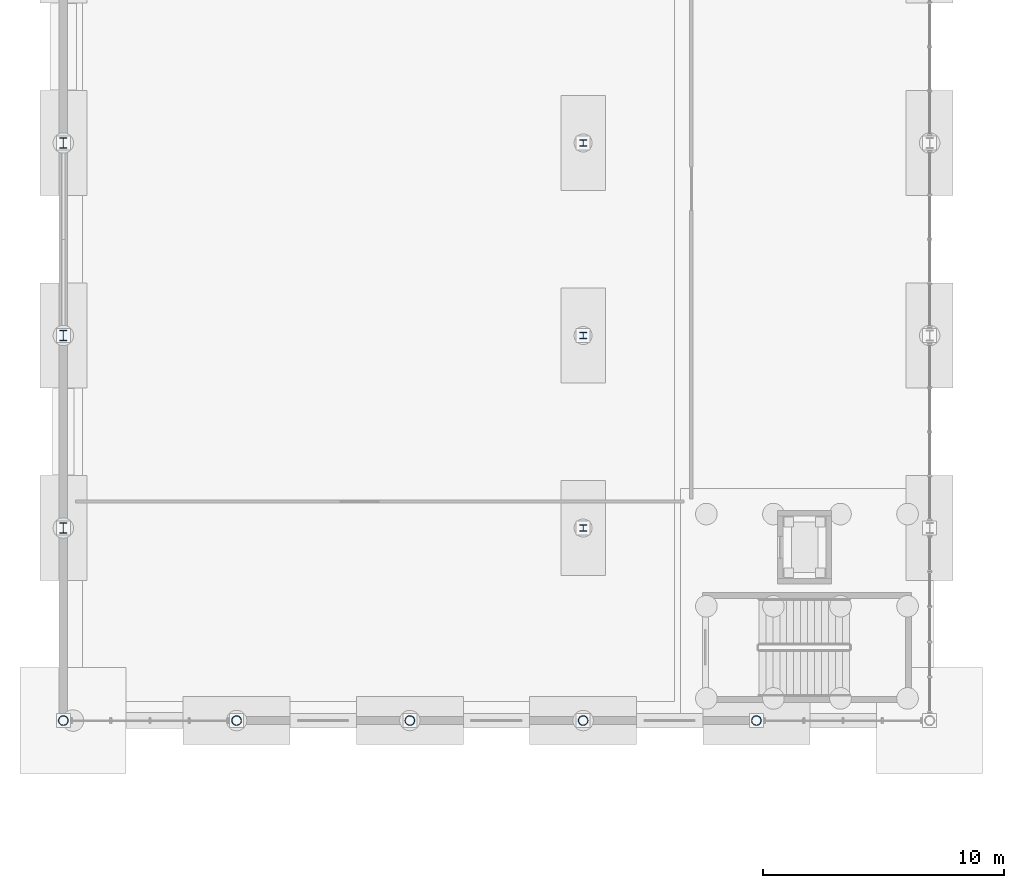
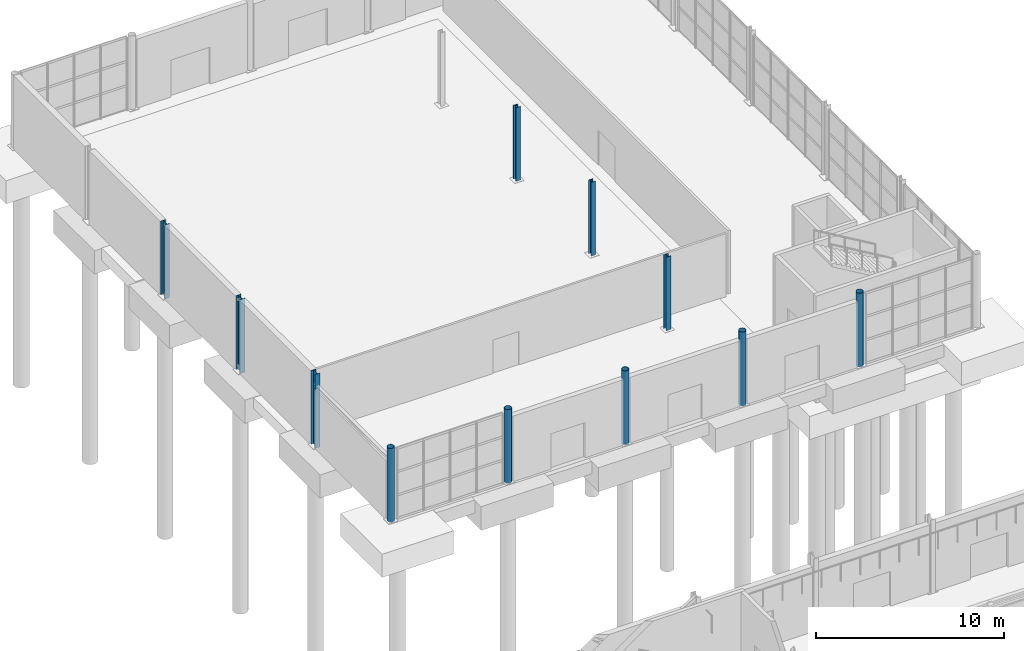
# One storey, part 17 of 101: 11 columns.
"""IFC4 building model written with IfcOpenShell, lengths in metres."""

from ifc_helpers import new_model, si_unit, derived_unit, direction, frame, origin, origin_2d, place, context, subcontext, project, spatial, hollow_circle, i_section, extrude, material, material_profile, profile_set, type_object, element, save


model = new_model("IFC4")

# Units and contexts
model_context = context("Model", 3, precision=1e-05, world=origin(), true_north=direction((0.0, 1.0)))
body_context = subcontext(model_context, "Body", "Model", "MODEL_VIEW")
ifc_project = project(units=[si_unit("LENGTHUNIT", "METRE"), si_unit("AREAUNIT", "SQUARE_METRE"), si_unit("VOLUMEUNIT", "CUBIC_METRE"), si_unit("PLANEANGLEUNIT", "RADIAN"), si_unit("MASSUNIT", "GRAM", prefix="KILO"), derived_unit("THERMALTRANSMITTANCEUNIT", [(si_unit("POWERUNIT", "WATT"), 1), (si_unit("LENGTHUNIT", "METRE"), -2), (si_unit("THERMODYNAMICTEMPERATUREUNIT", "KELVIN"), -1)])], contexts=[model_context])

# Site, building, storey
site_placement = place(None, origin())
site = spatial("IfcSite", under=ifc_project, at=site_placement, CompositionType="ELEMENT")
building_placement = place(site_placement, origin())
building = spatial("IfcBuilding", under=site, at=building_placement, Name="Keldorne Ridge Multi-Sports Centre", CompositionType="ELEMENT")
storey_placement = place(building_placement, origin())
storey = spatial("IfcBuildingStorey", under=building, at=storey_placement, Name="L00", CompositionType="ELEMENT", Elevation=0.0)

# Columns
ifc_material = material(Name="Steel S355", Category="steel")
ifc_material_profile_1 = material_profile(ifc_material, i_section(OverallWidth=0.300048828125, OverallDepth=0.449951171875, WebThickness=0.013916015625, FlangeThickness=0.02587890625, FilletRadius=0.027099609375, at=origin_2d()), Name="HEB 450")
ifc_profile_set_1 = profile_set([ifc_material_profile_1], Name="Steel S355")
column_type_1 = type_object("IfcColumnType", Name="COL-C-06", PredefinedType="COLUMN", material=ifc_profile_set_1)
for number, where, z_axis, x_axis, name in (
    (1, (6.0, 82.0, 0.0), (0.0, 0.0, 1.0), (1.0, 0.0, 0.0), "Structural column V3-SIDE-W-02 on L00"),
    (2, (6.0, 90.0, 0.0), (0.0, 0.0, 1.0), (1.0, 0.0, 0.0), "Structural column V3-SIDE-W-03 on L00"),
    (3, (6.0, 98.0, 0.0), (0.0, 0.0, 1.0), (1.0, 0.0, 0.0), "Structural column V3-SIDE-W-04 on L00"),
):
    element("IfcColumn", number, at=place(storey_placement, frame(where, z_axis=z_axis, x_axis=x_axis)), inside=storey, type_object=column_type_1, Name=name, PredefinedType="COLUMN", context=body_context, shape_type="SweptSolid", body=[
        extrude(i_section(OverallWidth=0.300048828125, OverallDepth=0.449951171875, WebThickness=0.013916015625, FlangeThickness=0.02587890625, FilletRadius=0.027099609375, at=origin_2d()), origin(), (0.0, 0.0, 1.0), 4.800048828125),
    ])
ifc_material_profile_2 = material_profile(ifc_material, hollow_circle(Radius=0.203125, WallThickness=0.01611328125, at=origin_2d()), Name="CHS 406.4x16")
ifc_profile_set_2 = profile_set([ifc_material_profile_2], Name="Steel S355")
column_type_2 = type_object("IfcColumnType", Name="COL-C-07", PredefinedType="COLUMN", material=ifc_profile_set_2)
for number, where, z_axis, x_axis, name in (
    (4, (6.0, 74.0, 0.0), (0.0, 0.0, 1.0), (1.0, 0.0, 0.0), "Structural column V3-PER-S-01 on L00"),
    (5, (13.199951171875, 74.0, 0.0), (0.0, 0.0, 1.0), (1.0, 0.0, 0.0), "Structural column V3-PER-S-02 on L00"),
    (6, (20.39990234375, 74.0, 0.0), (0.0, 0.0, 1.0), (1.0, 0.0, 0.0), "Structural column V3-PER-S-03 on L00"),
    (7, (27.60009765625, 74.0, 0.0), (0.0, 0.0, 1.0), (1.0, 0.0, 0.0), "Structural column V3-PER-S-04 on L00"),
    (8, (34.800048828125, 74.0, 0.0), (0.0, 0.0, 1.0), (1.0, 0.0, 0.0), "Structural column V3-PER-S-05 on L00"),
):
    element("IfcColumn", number, at=place(storey_placement, frame(where, z_axis=z_axis, x_axis=x_axis)), inside=storey, type_object=column_type_2, Name=name, PredefinedType="COLUMN", context=body_context, shape_type="SweptSolid", body=[
        extrude(hollow_circle(Radius=0.203125, WallThickness=0.01611328125, at=origin_2d()), origin(), (0.0, 0.0, 1.0), 4.800048828125),
    ])
ifc_material_profile_3 = material_profile(ifc_material, i_section(OverallWidth=0.280029296875, OverallDepth=0.280029296875, WebThickness=0.010498046875, FlangeThickness=0.01806640625, FilletRadius=0.02392578125, at=origin_2d()), Name="HEB 280")
ifc_profile_set_3 = profile_set([ifc_material_profile_3], Name="Steel S355")
column_type_3 = type_object("IfcColumnType", Name="COL-C-13", PredefinedType="COLUMN", material=ifc_profile_set_3)
for number, where, z_axis, x_axis, name in (
    (9, (27.60009765625, 82.0, 0.0), (0.0, 0.0, 1.0), (1.0, 0.0, 0.0), "Structural column V3-GAL-02 on L00"),
    (10, (27.60009765625, 90.0, 0.0), (0.0, 0.0, 1.0), (1.0, 0.0, 0.0), "Structural column V3-GAL-03 on L00"),
    (11, (27.60009765625, 98.0, 0.0), (0.0, 0.0, 1.0), (1.0, 0.0, 0.0), "Structural column V3-GAL-04 on L00"),
):
    element("IfcColumn", number, at=place(storey_placement, frame(where, z_axis=z_axis, x_axis=x_axis)), inside=storey, type_object=column_type_3, Name=name, PredefinedType="COLUMN", context=body_context, shape_type="SweptSolid", body=[
        extrude(i_section(OverallWidth=0.280029296875, OverallDepth=0.280029296875, WebThickness=0.010498046875, FlangeThickness=0.01806640625, FilletRadius=0.02392578125, at=origin_2d()), origin(), (0.0, 0.0, 1.0), 4.800048828125),
    ])

save(model, "model.ifc")
